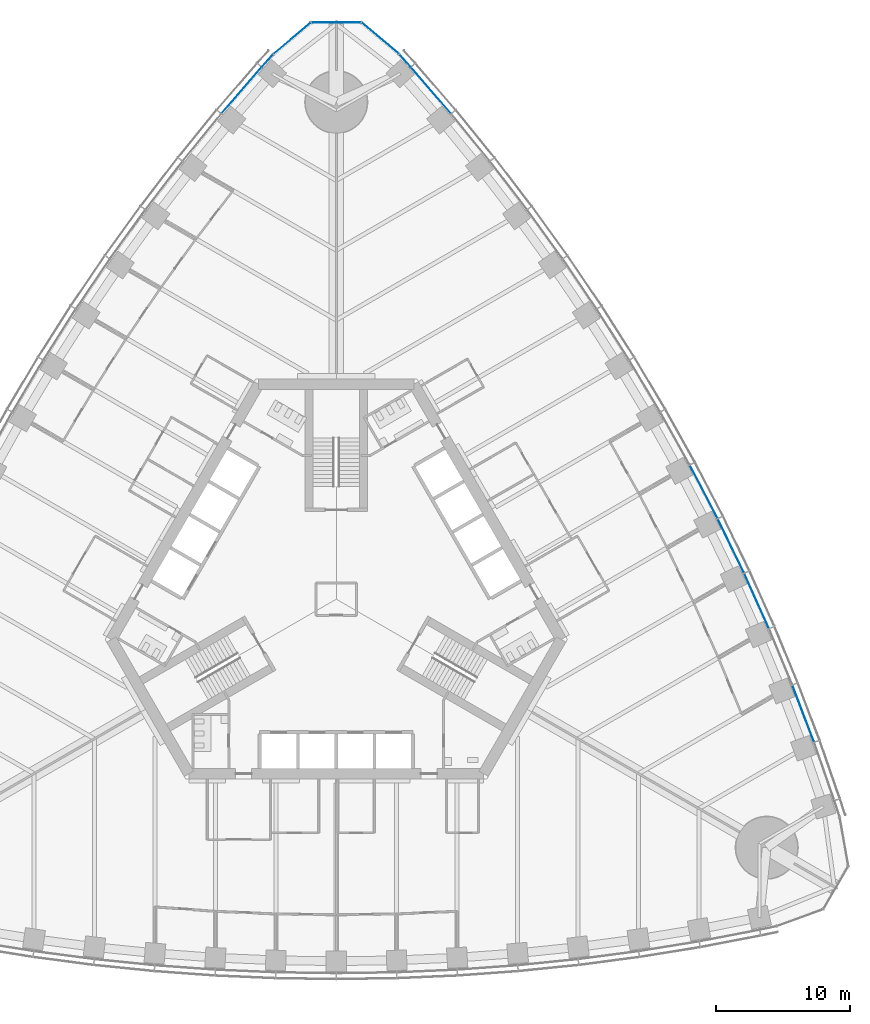
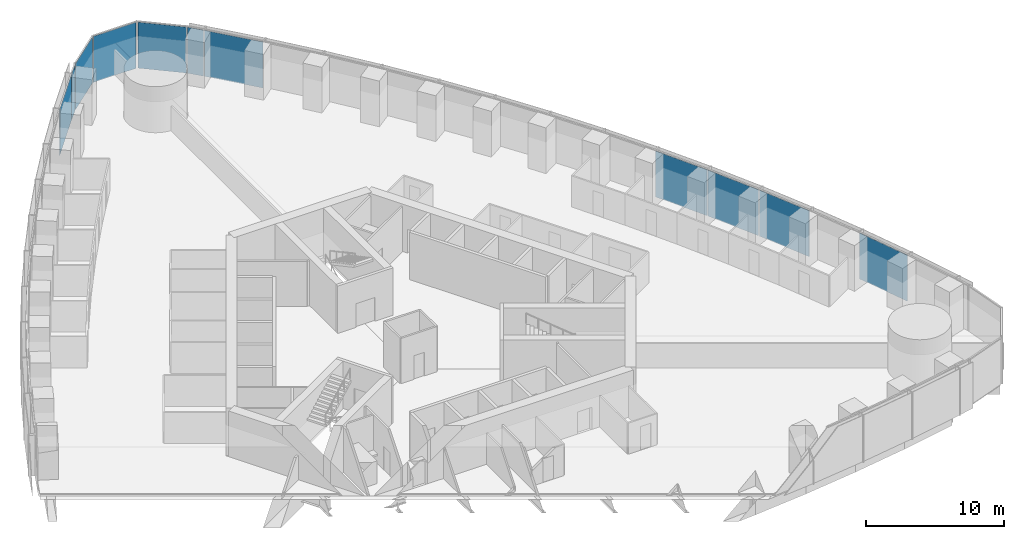
# One storey, part 9 of 18: 11 plates, 3 elements without a shape of their own.
"""IFC4 building model written with IfcOpenShell, lengths in metres."""

from ifc_helpers import new_model, si_unit, direction, frame, origin, origin_2d, place, context, subcontext, project, spatial, rectangle, extrude, material, layer, layer_set, type_object, element, aggregate, save


model = new_model("IFC4")

# Units and contexts
model_context = context("Model", 3, precision=1e-05, world=origin(), true_north=direction((0.0, 1.0)))
body_context = subcontext(model_context, "Body", "Model", "MODEL_VIEW")
ifc_project = project(units=[si_unit("LENGTHUNIT", "METRE"), si_unit("AREAUNIT", "SQUARE_METRE"), si_unit("VOLUMEUNIT", "CUBIC_METRE"), si_unit("PLANEANGLEUNIT", "RADIAN"), si_unit("MASSUNIT", "GRAM", prefix="KILO")], contexts=[model_context])

# Site, building, storey
site_placement = place(None, origin())
site = spatial("IfcSite", under=ifc_project, at=site_placement, CompositionType="ELEMENT")
building_placement = place(site_placement, origin())
building = spatial("IfcBuilding", under=site, at=building_placement, Name="Trefoil Bronze Tower", CompositionType="ELEMENT")
storey_placement = place(building_placement, frame((0.0, 0.0, 29.10009765625)))
storey = spatial("IfcBuildingStorey", under=building, at=storey_placement, Name="L06", CompositionType="ELEMENT", Elevation=29.10009765625)

# Curtain wall, plates
ifc_material_1 = material(Name="Tinted solar-control glass", Category="glass")
curtain_wall_type_1 = type_object("IfcCurtainWallType", Name="Bronze office curtain wall", PredefinedType="USERDEFINED", material=ifc_material_1)
curtain_wall_1_placement = place(storey_placement, origin())
curtain_wall_1 = element("IfcCurtainWall", 1, at=curtain_wall_1_placement, inside=storey, type_object=curtain_wall_type_1, Name="CW-A L06 F2", ObjectType="CURTAIN WALL", PredefinedType="USERDEFINED")
ifc_material_2 = material(Name="Tinted solar-control glass", Category="glass")
ifc_layer_1 = layer(ifc_material_2, 0.030029296875)
ifc_layer_set_1 = layer_set([ifc_layer_1], Name="Bronze office curtain wall glass panel")
plate_type_1 = type_object("IfcPlateType", Name="Bronze office curtain wall glass panel", PredefinedType="CURTAIN_PANEL", material=ifc_layer_set_1)
plate_1_placement = place(storey_placement, frame((34.763427734375, -8.526611328125, -0.000244140625), z_axis=(0.0, 0.0, 1.0), x_axis=(-0.355370585687, 0.934725492767, 0.0)))
plate_1 = element("IfcPlate", 2, at=plate_1_placement, type_object=plate_type_1, Name="CW-A L06 F2 panel 3", PredefinedType="CURTAIN_PANEL", context=body_context, shape_type="SweptSolid", body=[
    extrude(rectangle(XDim=4.478515625, YDim=0.030029296875, at=origin_2d()), origin(), (0.0, 0.0, 1.0), 4.080078125),
])
plate_2_placement = place(storey_placement, frame((31.28857421875, -0.1337890625, -0.000244140625), z_axis=(0.0, 0.0, 1.0), x_axis=(-0.40945635808, 0.912329705111, 0.0)))
plate_2 = element("IfcPlate", 3, at=plate_2_placement, type_object=plate_type_1, Name="CW-A L06 F2 panel 5", PredefinedType="CURTAIN_PANEL", context=body_context, shape_type="SweptSolid", body=[
    extrude(rectangle(XDim=4.443359375, YDim=0.030029296875, at=origin_2d()), origin(), (0.0, 0.0, 1.0), 4.080078125),
])
plate_3_placement = place(storey_placement, frame((29.3779296875, 3.962646484375, -0.000244140625), z_axis=(0.0, 0.0, 1.0), x_axis=(-0.4358553457, 0.900016731858, 0.0)))
plate_3 = element("IfcPlate", 4, at=plate_3_placement, type_object=plate_type_1, Name="CW-A L06 F2 panel 6", PredefinedType="CURTAIN_PANEL", context=body_context, shape_type="SweptSolid", body=[
    extrude(rectangle(XDim=4.431884765625, YDim=0.030029296875, at=origin_2d()), origin(), (0.0, 0.0, 1.0), 4.080078125),
])
plate_4_placement = place(storey_placement, frame((27.353271484375, 7.9931640625, -0.000244140625), z_axis=(0.0, 0.0, 1.0), x_axis=(-0.46182981834, 0.886968555752, 0.0)))
plate_4 = element("IfcPlate", 5, at=plate_4_placement, type_object=plate_type_1, Name="CW-A L06 F2 panel 7", PredefinedType="CURTAIN_PANEL", context=body_context, shape_type="SweptSolid", body=[
    extrude(rectangle(XDim=4.42431640625, YDim=0.030029296875, at=origin_2d()), origin(), (0.0, 0.0, 1.0), 4.080078125),
])
plate_5_placement = place(storey_placement, frame((7.056396484375, 37.870849609375, -0.000244140625), z_axis=(0.0, 0.0, 1.0), x_axis=(-0.654376090833, 0.756169248083, 0.0)))
plate_5 = element("IfcPlate", 6, at=plate_5_placement, type_object=plate_type_1, Name="CW-A L06 F2 panel 15", PredefinedType="CURTAIN_PANEL", context=body_context, shape_type="SweptSolid", body=[
    extrude(rectangle(XDim=4.502197265625, YDim=0.030029296875, at=origin_2d()), origin(), (0.0, 0.0, 1.0), 4.080078125),
])
plate_6_placement = place(storey_placement, frame((5.12451171875, 40.08447265625, -0.000244140625), z_axis=(0.0, 0.0, 1.0), x_axis=(-0.668575006272, 0.743644714221, 0.0)))
plate_6 = element("IfcPlate", 7, at=plate_6_placement, type_object=plate_type_1, Name="CW-A L06 F2 panel 16", PredefinedType="CURTAIN_PANEL", context=body_context, shape_type="SweptSolid", body=[
    extrude(rectangle(XDim=1.21044921875, YDim=0.030029296875, at=origin_2d()), origin(), (0.0, 0.0, 1.0), 4.080078125),
])
aggregate(curtain_wall_1, [plate_1, plate_2, plate_3, plate_4, plate_5, plate_6])

curtain_wall_2_placement = place(storey_placement, origin())
curtain_wall_2 = element("IfcCurtainWall", 8, at=curtain_wall_2_placement, inside=storey, type_object=curtain_wall_type_1, Name="CW-A L06 F3", ObjectType="CURTAIN WALL", PredefinedType="USERDEFINED")
plate_7_placement = place(storey_placement, frame((-5.12451171875, 40.08447265625, -0.000244140625), z_axis=(0.0, 0.0, 1.0), x_axis=(-0.668575006272, -0.743644714221, 0.0)))
plate_7 = element("IfcPlate", 9, at=plate_7_placement, type_object=plate_type_1, Name="CW-A L06 F3 panel 1", PredefinedType="CURTAIN_PANEL", context=body_context, shape_type="SweptSolid", body=[
    extrude(rectangle(XDim=1.21044921875, YDim=0.030029296875, at=origin_2d()), origin(), (0.0, 0.0, 1.0), 4.080078125),
])
plate_8_placement = place(storey_placement, frame((-7.056396484375, 37.870849609375, -0.000244140625), z_axis=(0.0, 0.0, 1.0), x_axis=(-0.654376090833, -0.756169248083, 0.0)))
plate_8 = element("IfcPlate", 10, at=plate_8_placement, type_object=plate_type_1, Name="CW-A L06 F3 panel 2", PredefinedType="CURTAIN_PANEL", context=body_context, shape_type="SweptSolid", body=[
    extrude(rectangle(XDim=4.502197265625, YDim=0.030029296875, at=origin_2d()), origin(), (0.0, 0.0, 1.0), 4.080078125),
])
aggregate(curtain_wall_2, [plate_7, plate_8])

ifc_material_3 = material(Name="Tinted solar-control glass", Category="glass")
curtain_wall_type_2 = type_object("IfcCurtainWallType", Name="Bronze rounded corner curtain wall", PredefinedType="USERDEFINED", material=ifc_material_3)
curtain_wall_3_placement = place(storey_placement, origin())
curtain_wall_3 = element("IfcCurtainWall", 11, at=curtain_wall_3_placement, inside=storey, type_object=curtain_wall_type_2, Name="CW-B L06 K2", ObjectType="CURTAIN WALL", PredefinedType="USERDEFINED")
ifc_material_4 = material(Name="Tinted solar-control glass", Category="glass")
ifc_layer_2 = layer(ifc_material_4, 0.030029296875)
ifc_layer_set_2 = layer_set([ifc_layer_2], Name="Bronze rounded corner curtain wall glass panel")
plate_type_2 = type_object("IfcPlateType", Name="Bronze rounded corner curtain wall glass panel", PredefinedType="CURTAIN_PANEL", material=ifc_layer_set_2)
plate_9_placement = place(storey_placement, frame((3.28564453125, 41.74658203125, -0.000244140625), z_axis=(0.0, 0.0, 1.0), x_axis=(-0.766044443119, 0.642787609687, 0.0)))
plate_9 = element("IfcPlate", 12, at=plate_9_placement, type_object=plate_type_2, Name="CW-B L06 K2 panel 1", PredefinedType="CURTAIN_PANEL", context=body_context, shape_type="SweptSolid", body=[
    extrude(rectangle(XDim=3.588134765625, YDim=0.030029296875, at=origin_2d()), origin(), (0.0, 0.0, 1.0), 4.080078125),
])
plate_10_placement = place(storey_placement, frame((0.0, 42.9423828125, -0.000244140625), z_axis=(0.0, 0.0, 1.0), x_axis=(-1.0, 0.0, 0.0)))
plate_10 = element("IfcPlate", 13, at=plate_10_placement, type_object=plate_type_2, Name="CW-B L06 K2 panel 2", PredefinedType="CURTAIN_PANEL", context=body_context, shape_type="SweptSolid", body=[
    extrude(rectangle(XDim=3.588134765625, YDim=0.030029296875, at=origin_2d()), origin(), (0.0, 0.0, 1.0), 4.080078125),
])
plate_11_placement = place(storey_placement, frame((-3.28564453125, 41.74658203125, -0.000244140625), z_axis=(0.0, 0.0, 1.0), x_axis=(-0.766044443119, -0.642787609687, 0.0)))
plate_11 = element("IfcPlate", 14, at=plate_11_placement, type_object=plate_type_2, Name="CW-B L06 K2 panel 3", PredefinedType="CURTAIN_PANEL", context=body_context, shape_type="SweptSolid", body=[
    extrude(rectangle(XDim=3.588134765625, YDim=0.030029296875, at=origin_2d()), origin(), (0.0, 0.0, 1.0), 4.080078125),
])
aggregate(curtain_wall_3, [plate_9, plate_10, plate_11])

save(model, "model.ifc")
